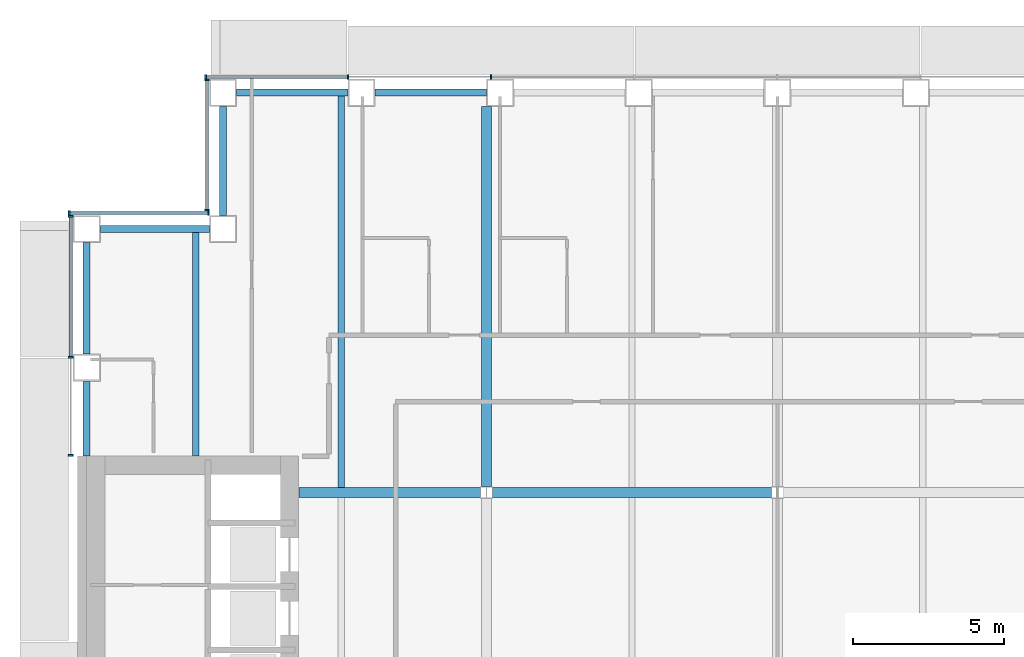
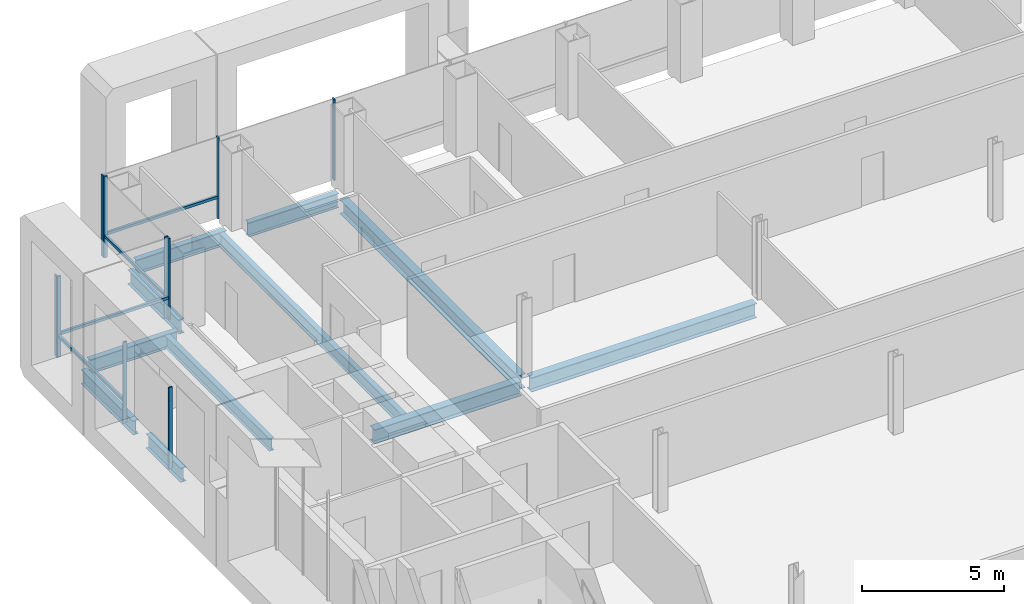
# One storey, part 6 of 19: 14 members, 11 beams, 4 elements without a shape of their own.
"""IFC4 building model written with IfcOpenShell, lengths in metres."""

from ifc_helpers import new_model, si_unit, direction, frame, origin, origin_2d, place, context, subcontext, project, spatial, rectangle, i_section, extrude, material, material_profile, profile_set, type_object, element, aggregate, save


model = new_model("IFC4")

# Units and contexts
model_context = context("Model", 3, precision=1e-05, world=origin(), true_north=direction((0.0, 1.0)))
body_context = subcontext(model_context, "Body", "Model", "MODEL_VIEW")
ifc_project = project(units=[si_unit("LENGTHUNIT", "METRE"), si_unit("AREAUNIT", "SQUARE_METRE"), si_unit("VOLUMEUNIT", "CUBIC_METRE"), si_unit("PLANEANGLEUNIT", "RADIAN"), si_unit("MASSUNIT", "GRAM", prefix="KILO")], contexts=[model_context])

# Site, building, storey
site_placement = place(None, origin())
site = spatial("IfcSite", under=ifc_project, at=site_placement, CompositionType="ELEMENT")
building_placement = place(site_placement, origin())
building = spatial("IfcBuilding", under=site, at=building_placement, Name="Cobrizo Arcos Hotel Tower", CompositionType="ELEMENT")
storey_placement = place(building_placement, frame((0.0, 0.0, 103.0)))
storey = spatial("IfcBuildingStorey", under=building, at=storey_placement, Name="L25", CompositionType="ELEMENT", Elevation=103.0)

# Curtain wall, members
ifc_material_1 = material(Name="Aluminium 6063-T6 anodised bronze", Category="aluminium")
curtain_wall_type = type_object("IfcCurtainWallType", Name="CW-A guest facade", PredefinedType="NOTDEFINED", material=ifc_material_1)
curtain_wall_1_placement = place(storey_placement, origin())
curtain_wall_1 = element("IfcCurtainWall", 1, at=curtain_wall_1_placement, inside=storey, type_object=curtain_wall_type, Name="CW-A L25 N face", PredefinedType="NOTDEFINED")
ifc_material_profile_1 = material_profile(ifc_material_1, rectangle(XDim=0.14990234375, YDim=0.06005859375, at=origin_2d()), Name="CW-A mullion 150x60")
ifc_profile_set_1 = profile_set([ifc_material_profile_1], Name="Aluminium 6063-T6 anodised bronze")
member_type_1 = type_object("IfcMemberType", Name="CW-A mullion 150x60", PredefinedType="MULLION", material=ifc_profile_set_1)
member_1_placement = place(storey_placement, frame((-9.449951171875, 23.324951171875, 0.0), z_axis=(0.0, 0.0, 1.0), x_axis=(0.0, 1.0, 0.0)))
member_1 = element("IfcMember", 2, at=member_1_placement, type_object=member_type_1, Name="CW-A mullion 7", PredefinedType="MULLION", context=body_context, shape_type="SweptSolid", body=[
    extrude(rectangle(XDim=0.14990234375, YDim=0.06005859375, at=origin_2d()), origin(), (0.0, 0.0, 1.0), 3.5),
])
member_2_placement = place(storey_placement, frame((-14.175048828125, 23.324951171875, 0.0), z_axis=(0.0, 0.0, 1.0), x_axis=(0.0, 1.0, 0.0)))
member_2 = element("IfcMember", 3, at=member_2_placement, type_object=member_type_1, Name="CW-A mullion 8", PredefinedType="MULLION", context=body_context, shape_type="SweptSolid", body=[
    extrude(rectangle(XDim=0.14990234375, YDim=0.06005859375, at=origin_2d()), origin(), (0.0, 0.0, 1.0), 3.5),
])
member_3_placement = place(storey_placement, frame((-18.8701171875, 23.324951171875, 0.0), z_axis=(0.0, 0.0, 1.0), x_axis=(0.0, 1.0, 0.0)))
member_3 = element("IfcMember", 4, at=member_3_placement, type_object=member_type_1, Name="CW-A mullion 9", PredefinedType="MULLION", context=body_context, shape_type="SweptSolid", body=[
    extrude(rectangle(XDim=0.14990234375, YDim=0.06005859375, at=origin_2d()), origin(), (0.0, 0.0, 1.0), 3.5),
])

curtain_wall_2_placement = place(storey_placement, origin())
curtain_wall_2 = element("IfcCurtainWall", 5, at=curtain_wall_2_placement, inside=storey, type_object=curtain_wall_type, Name="CW-A L25 W face", PredefinedType="NOTDEFINED")
member_4_placement = place(storey_placement, frame((-18.824951171875, 23.219970703125, 0.0), z_axis=(0.0, 0.0, 1.0), x_axis=(-1.0, 0.0, 0.0)))
member_4 = element("IfcMember", 6, at=member_4_placement, type_object=member_type_1, Name="CW-A mullion 1", PredefinedType="MULLION", context=body_context, shape_type="SweptSolid", body=[
    extrude(rectangle(XDim=0.14990234375, YDim=0.06005859375, at=origin_2d()), origin(), (0.0, 0.0, 1.0), 3.5),
])
member_5_placement = place(storey_placement, frame((-18.824951171875, 18.929931640625, 0.0), z_axis=(0.0, 0.0, 1.0), x_axis=(-1.0, 0.0, 0.0)))
member_5 = element("IfcMember", 7, at=member_5_placement, type_object=member_type_1, Name="CW-A mullion 2", PredefinedType="MULLION", context=body_context, shape_type="SweptSolid", body=[
    extrude(rectangle(XDim=0.14990234375, YDim=0.06005859375, at=origin_2d()), origin(), (0.0, 0.0, 1.0), 3.5),
])

curtain_wall_3_placement = place(storey_placement, origin())
curtain_wall_3 = element("IfcCurtainWall", 8, at=curtain_wall_3_placement, inside=storey, type_object=curtain_wall_type, Name="CW-A L25 N face", PredefinedType="NOTDEFINED")
member_6_placement = place(storey_placement, frame((-18.780029296875, 18.824951171875, 0.0), z_axis=(0.0, 0.0, 1.0), x_axis=(0.0, 1.0, 0.0)))
member_6 = element("IfcMember", 9, at=member_6_placement, type_object=member_type_1, Name="CW-A mullion 1", PredefinedType="MULLION", context=body_context, shape_type="SweptSolid", body=[
    extrude(rectangle(XDim=0.14990234375, YDim=0.06005859375, at=origin_2d()), origin(), (0.0, 0.0, 1.0), 3.5),
])
member_7_placement = place(storey_placement, frame((-23.3701171875, 18.824951171875, 0.0), z_axis=(0.0, 0.0, 1.0), x_axis=(0.0, 1.0, 0.0)))
member_7 = element("IfcMember", 10, at=member_7_placement, type_object=member_type_1, Name="CW-A mullion 2", PredefinedType="MULLION", context=body_context, shape_type="SweptSolid", body=[
    extrude(rectangle(XDim=0.14990234375, YDim=0.06005859375, at=origin_2d()), origin(), (0.0, 0.0, 1.0), 3.5),
])

curtain_wall_4_placement = place(storey_placement, origin())
curtain_wall_4 = element("IfcCurtainWall", 11, at=curtain_wall_4_placement, inside=storey, type_object=curtain_wall_type, Name="CW-A L25 W face", PredefinedType="NOTDEFINED")
member_8_placement = place(storey_placement, frame((-23.324951171875, 18.719970703125, 0.0), z_axis=(0.0, 0.0, 1.0), x_axis=(-1.0, 0.0, 0.0)))
member_8 = element("IfcMember", 12, at=member_8_placement, type_object=member_type_1, Name="CW-A mullion 1", PredefinedType="MULLION", context=body_context, shape_type="SweptSolid", body=[
    extrude(rectangle(XDim=0.14990234375, YDim=0.06005859375, at=origin_2d()), origin(), (0.0, 0.0, 1.0), 3.5),
])
member_9_placement = place(storey_placement, frame((-23.324951171875, 14.0625, 0.0), z_axis=(0.0, 0.0, 1.0), x_axis=(-1.0, 0.0, 0.0)))
member_9 = element("IfcMember", 13, at=member_9_placement, type_object=member_type_1, Name="CW-A mullion 2", PredefinedType="MULLION", context=body_context, shape_type="SweptSolid", body=[
    extrude(rectangle(XDim=0.14990234375, YDim=0.06005859375, at=origin_2d()), origin(), (0.0, 0.0, 1.0), 3.5),
])
member_10_placement = place(storey_placement, frame((-23.324951171875, 10.830078125, 0.0), z_axis=(0.0, 0.0, 1.0), x_axis=(-1.0, 0.0, 0.0)))
member_10 = element("IfcMember", 14, at=member_10_placement, type_object=member_type_1, Name="CW-A mullion 3", PredefinedType="MULLION", context=body_context, shape_type="SweptSolid", body=[
    extrude(rectangle(XDim=0.14990234375, YDim=0.06005859375, at=origin_2d()), origin(), (0.0, 0.0, 1.0), 3.5),
])

# Member
ifc_material_profile_2 = material_profile(ifc_material_1, rectangle(XDim=0.10009765625, YDim=0.1201171875, at=origin_2d()), Name="CW-A transom 120x100")
ifc_profile_set_2 = profile_set([ifc_material_profile_2], Name="Aluminium 6063-T6 anodised bronze")
member_type_2 = type_object("IfcMemberType", Name="CW-A transom 120x100", PredefinedType="USERDEFINED", material=ifc_profile_set_2)
member_11_placement = place(storey_placement, frame((-14.205078125, 23.324951171875, 0.929931640625), z_axis=(-1.0, 0.0, 0.0), x_axis=(0.0, -1.0, 0.0)))
member_11 = element("IfcMember", 15, at=member_11_placement, type_object=member_type_2, Name="CW-A transom 1002", ObjectType="TRANSOM", PredefinedType="USERDEFINED", context=body_context, shape_type="SweptSolid", body=[
    extrude(rectangle(XDim=0.10009765625, YDim=0.1201171875, at=origin_2d()), origin(), (0.0, 0.0, 1.0), 4.635009765625),
])

aggregate(curtain_wall_1, [member_1, member_2, member_3, member_11])

member_12_placement = place(storey_placement, frame((-18.824951171875, 23.18994140625, 0.929931640625), z_axis=(0.0, -1.0, 0.0), x_axis=(1.0, 0.0, 0.0)))
member_12 = element("IfcMember", 16, at=member_12_placement, type_object=member_type_2, Name="CW-A transom 1003", ObjectType="TRANSOM", PredefinedType="USERDEFINED", context=body_context, shape_type="SweptSolid", body=[
    extrude(rectangle(XDim=0.10009765625, YDim=0.1201171875, at=origin_2d()), origin(), (0.0, 0.0, 1.0), 4.22998046875),
])

aggregate(curtain_wall_2, [member_4, member_5, member_12])

member_13_placement = place(storey_placement, frame((-18.81005859375, 18.824951171875, 0.929931640625), z_axis=(-1.0, 0.0, 0.0), x_axis=(0.0, -1.0, 0.0)))
member_13 = element("IfcMember", 17, at=member_13_placement, type_object=member_type_2, Name="CW-A transom 1004", ObjectType="TRANSOM", PredefinedType="USERDEFINED", context=body_context, shape_type="SweptSolid", body=[
    extrude(rectangle(XDim=0.10009765625, YDim=0.1201171875, at=origin_2d()), origin(), (0.0, 0.0, 1.0), 4.530029296875),
])

aggregate(curtain_wall_3, [member_6, member_7, member_13])

member_14_placement = place(storey_placement, frame((-23.324951171875, 18.68994140625, 0.929931640625), z_axis=(0.0, -1.0, 0.0), x_axis=(1.0, 0.0, 0.0)))
member_14 = element("IfcMember", 18, at=member_14_placement, type_object=member_type_2, Name="CW-A transom 1005", ObjectType="TRANSOM", PredefinedType="USERDEFINED", context=body_context, shape_type="SweptSolid", body=[
    extrude(rectangle(XDim=0.10009765625, YDim=0.1201171875, at=origin_2d()), origin(), (0.0, 0.0, 1.0), 4.597412109375),
])

aggregate(curtain_wall_4, [member_8, member_9, member_10, member_14])

# Beams
ifc_material_2 = material(Name="Steel ASTM A992 Grade 50", Category="steel")
ifc_material_profile_3 = material_profile(ifc_material_2, i_section(OverallWidth=0.209228515625, OverallDepth=0.533447265625, WebThickness=0.01025390625, FlangeThickness=0.015625, at=origin_2d()), Name="W21X62")
ifc_profile_set_3 = profile_set([ifc_material_profile_3], Name="Steel ASTM A992 Grade 50")
beam_type_1 = type_object("IfcBeamType", Name="W21X62 joist", PredefinedType="JOIST", material=ifc_profile_set_3)
beam_1_placement = place(storey_placement, frame((-19.199951171875, 10.81005859375, -0.416748046875), z_axis=(0.0, 1.0, 0.0), x_axis=(-1.0, 0.0, 0.0)))
element("IfcBeam", 19, at=beam_1_placement, inside=storey, type_object=beam_type_1, Name="Floor joist J1, L25, no. 002", PredefinedType="JOIST", context=body_context, shape_type="SweptSolid", body=[
    extrude(i_section(OverallWidth=0.209228515625, OverallDepth=0.533447265625, WebThickness=0.01025390625, FlangeThickness=0.015625, at=origin_2d()), origin(), (0.0, 0.0, 1.0), 7.39990234375),
])
beam_2_placement = place(storey_placement, frame((-14.39990234375, 9.763916015625, -0.416748046875), z_axis=(0.0, 1.0, 0.0), x_axis=(-1.0, 0.0, 0.0)))
element("IfcBeam", 20, at=beam_2_placement, inside=storey, type_object=beam_type_1, Name="Floor joist J1, L25, no. 006", PredefinedType="JOIST", context=body_context, shape_type="SweptSolid", body=[
    extrude(i_section(OverallWidth=0.209228515625, OverallDepth=0.533447265625, WebThickness=0.01025390625, FlangeThickness=0.015625, at=origin_2d()), origin(), (0.0, 0.0, 1.0), 12.946044921875),
])
ifc_material_profile_4 = material_profile(ifc_material_2, i_section(OverallWidth=0.32763671875, OverallDepth=0.622314453125, WebThickness=0.015380859375, FlangeThickness=0.0244140625, at=origin_2d()), Name="W24X131")
ifc_profile_set_4 = profile_set([ifc_material_profile_4], Name="Steel ASTM A992 Grade 50")
beam_type_2 = type_object("IfcBeamType", Name="W24X131 girder", PredefinedType="BEAM", material=ifc_profile_set_4)
beam_3_placement = place(storey_placement, frame((-15.7900390625, 9.60009765625, -0.461181640625), z_axis=(1.0, 0.0, 0.0), x_axis=(0.0, 1.0, 0.0)))
element("IfcBeam", 21, at=beam_3_placement, inside=storey, type_object=beam_type_2, Name="Floor girder G1, L25, no. 009", PredefinedType="BEAM", context=body_context, shape_type="SweptSolid", body=[
    extrude(i_section(OverallWidth=0.32763671875, OverallDepth=0.622314453125, WebThickness=0.015380859375, FlangeThickness=0.0244140625, at=origin_2d()), origin(), (0.0, 0.0, 1.0), 5.99072265625),
])
beam_4_placement = place(storey_placement, frame((-9.400634765625, 9.60009765625, -0.461181640625), z_axis=(1.0, 0.0, 0.0), x_axis=(0.0, 1.0, 0.0)))
element("IfcBeam", 22, at=beam_4_placement, inside=storey, type_object=beam_type_2, Name="Floor girder G1, L25, no. 010", PredefinedType="BEAM", context=body_context, shape_type="SweptSolid", body=[
    extrude(i_section(OverallWidth=0.32763671875, OverallDepth=0.622314453125, WebThickness=0.015380859375, FlangeThickness=0.0244140625, at=origin_2d()), origin(), (0.0, 0.0, 1.0), 9.201171875),
])
beam_5_placement = place(storey_placement, frame((-9.60009765625, 9.79931640625, -0.461181640625), z_axis=(0.0, 1.0, 0.0), x_axis=(-1.0, 0.0, 0.0)))
element("IfcBeam", 23, at=beam_5_placement, inside=storey, type_object=beam_type_2, Name="Floor girder G1, L25, no. 016", PredefinedType="BEAM", context=body_context, shape_type="SweptSolid", body=[
    extrude(i_section(OverallWidth=0.32763671875, OverallDepth=0.622314453125, WebThickness=0.015380859375, FlangeThickness=0.0244140625, at=origin_2d()), origin(), (0.0, 0.0, 1.0), 12.55078125),
])
ifc_material_profile_5 = material_profile(ifc_material_2, i_section(OverallWidth=0.23046875, OverallDepth=0.6171875, WebThickness=0.01318359375, FlangeThickness=0.022216796875, at=origin_2d()), Name="W24X94")
ifc_profile_set_5 = profile_set([ifc_material_profile_5], Name="Steel ASTM A992 Grade 50")
beam_type_3 = type_object("IfcBeamType", Name="W24X94 spandrel", PredefinedType="SPANDREL", material=ifc_profile_set_5)
beam_6_placement = place(storey_placement, frame((-9.60009765625, 22.800048828125, -0.45849609375), z_axis=(-1.0, 0.0, 0.0), x_axis=(0.0, -1.0, 0.0)))
element("IfcBeam", 24, at=beam_6_placement, inside=storey, type_object=beam_type_3, Name="Spandrel beam W24X94, L25, no. 023", PredefinedType="SPANDREL", context=body_context, shape_type="SweptSolid", body=[
    extrude(i_section(OverallWidth=0.23046875, OverallDepth=0.6171875, WebThickness=0.01318359375, FlangeThickness=0.022216796875, at=origin_2d()), origin(), (0.0, 0.0, 1.0), 3.6748046875),
])
beam_7_placement = place(storey_placement, frame((-14.175048828125, 22.800048828125, -0.45849609375), z_axis=(-1.0, 0.0, 0.0), x_axis=(0.0, -1.0, 0.0)))
element("IfcBeam", 25, at=beam_7_placement, inside=storey, type_object=beam_type_3, Name="Spandrel beam W24X94, L25, no. 024", PredefinedType="SPANDREL", context=body_context, shape_type="SweptSolid", body=[
    extrude(i_section(OverallWidth=0.23046875, OverallDepth=0.6171875, WebThickness=0.01318359375, FlangeThickness=0.022216796875, at=origin_2d()), origin(), (0.0, 0.0, 1.0), 3.675048828125),
])
for number, where, z_axis, x_axis, name in (
    (26, (-18.300048828125, 22.35009765625, -0.45849609375), (0.0, -1.0, 0.0), (1.0, 0.0, 0.0), "Spandrel beam W24X94, L25, no. 025"),
    (27, (-18.75, 18.300048828125, -0.45849609375), (-1.0, 0.0, 0.0), (0.0, -1.0, 0.0), "Spandrel beam W24X94, L25, no. 026"),
):
    element("IfcBeam", number, at=place(storey_placement, frame(where, z_axis=z_axis, x_axis=x_axis)), inside=storey, type_object=beam_type_3, Name=name, PredefinedType="SPANDREL", context=body_context, shape_type="SweptSolid", body=[
        extrude(i_section(OverallWidth=0.23046875, OverallDepth=0.6171875, WebThickness=0.01318359375, FlangeThickness=0.022216796875, at=origin_2d()), origin(), (0.0, 0.0, 1.0), 3.60009765625),
    ])
beam_8_placement = place(storey_placement, frame((-22.800048828125, 17.85009765625, -0.45849609375), z_axis=(0.0, -1.0, 0.0), x_axis=(1.0, 0.0, 0.0)))
element("IfcBeam", 28, at=beam_8_placement, inside=storey, type_object=beam_type_3, Name="Spandrel beam W24X94, L25, no. 027", PredefinedType="SPANDREL", context=body_context, shape_type="SweptSolid", body=[
    extrude(i_section(OverallWidth=0.23046875, OverallDepth=0.6171875, WebThickness=0.01318359375, FlangeThickness=0.022216796875, at=origin_2d()), origin(), (0.0, 0.0, 1.0), 3.675048828125),
])
beam_9_placement = place(storey_placement, frame((-22.800048828125, 13.27490234375, -0.45849609375), z_axis=(0.0, -1.0, 0.0), x_axis=(1.0, 0.0, 0.0)))
element("IfcBeam", 29, at=beam_9_placement, inside=storey, type_object=beam_type_3, Name="Spandrel beam W24X94, L25, no. 028", PredefinedType="SPANDREL", context=body_context, shape_type="SweptSolid", body=[
    extrude(i_section(OverallWidth=0.23046875, OverallDepth=0.6171875, WebThickness=0.01318359375, FlangeThickness=0.022216796875, at=origin_2d()), origin(), (0.0, 0.0, 1.0), 2.46484375),
])

save(model, "model.ifc")
